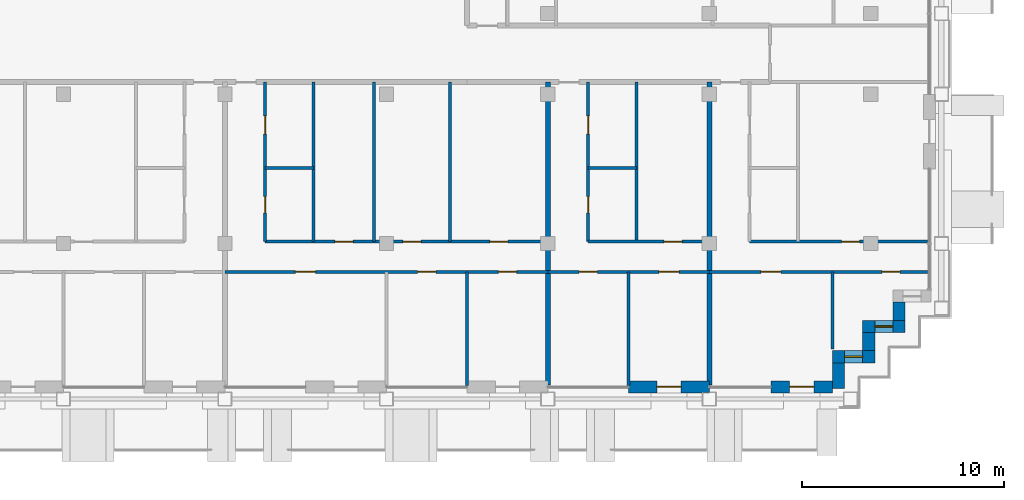
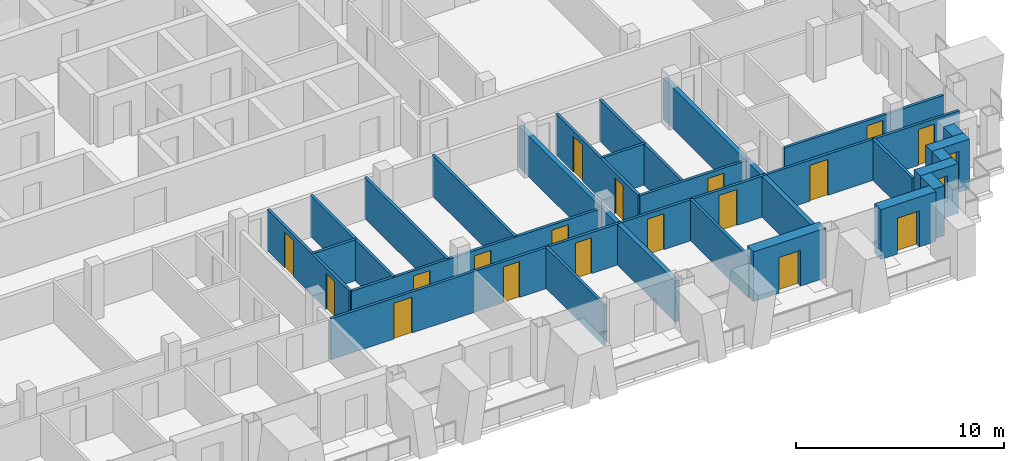
# One storey, part 9 of 16: 26 walls, 18 doors, 2 windows, 20 openings.
"""IFC4 building model written with IfcOpenShell, lengths in metres."""

from ifc_helpers import new_model, si_unit, direction, frame, frame_2d, origin, place, context, subcontext, project, spatial, rectangle, extrude, material, layer, layer_set, type_object, element, fill, save


model = new_model("IFC4")

# Units and contexts
model_context = context("Model", 3, precision=1e-05, world=origin(), true_north=direction((0.0, 1.0)))
body_context = subcontext(model_context, "Body", "Model", "MODEL_VIEW")
ifc_project = project(units=[si_unit("LENGTHUNIT", "METRE"), si_unit("AREAUNIT", "SQUARE_METRE"), si_unit("VOLUMEUNIT", "CUBIC_METRE"), si_unit("PLANEANGLEUNIT", "RADIAN"), si_unit("MASSUNIT", "GRAM", prefix="KILO")], contexts=[model_context])

# Site, building, storey
site_placement = place(None, origin())
site = spatial("IfcSite", under=ifc_project, at=site_placement, CompositionType="ELEMENT")
building_placement = place(site_placement, origin())
building = spatial("IfcBuilding", under=site, at=building_placement, Name="Vidyagriha Tower", CompositionType="ELEMENT")
storey_placement = place(building_placement, frame((0.0, 0.0, 174.89990234375)))
storey = spatial("IfcBuildingStorey", under=building, at=storey_placement, Name="L45", CompositionType="ELEMENT", Elevation=174.89990234375)

# Wall, opening, door
ifc_material_1 = material(Name="Precast concrete C40/50 with brick facing", Category="concrete")
ifc_layer_1 = layer(ifc_material_1, 0.60009765625)
ifc_layer_set_1 = layer_set([ifc_layer_1], Name="Precast concrete C40/50 with brick facing")
wall_type_1 = type_object("IfcWallType", Name="Brick-faced precast wall 600", PredefinedType="STANDARD", material=ifc_layer_set_1)
wall_1_placement = place(storey_placement, frame((22.0, -16.5, 0.0)))
wall_1 = element("IfcWall", 1, at=wall_1_placement, inside=storey, type_object=wall_type_1, Name="Brick door bay wall L45 R23.12", PredefinedType="STANDARD", context=body_context, shape_type="SweptSolid", body=[
    extrude(rectangle(XDim=4.0, YDim=0.60009765625, at=frame_2d((2.0, 0.0))), origin(), (0.0, 0.0, 1.0), 2.920166015625),
])
opening_1_placement = place(wall_1_placement, frame((1.39990234375, 0.0, 0.0)))
opening_1 = element("IfcOpeningElement", 2, at=opening_1_placement, cuts=wall_1, Name="Opening D45-74", PredefinedType="OPENING", context=body_context, shape_type="SweptSolid", body=[
    extrude(rectangle(XDim=1.199951171875, YDim=2.10009765625, at=frame_2d((0.60009765625, 1.050048828125))), frame((0.0, 0.31005859375, 0.0), z_axis=(0.0, -1.0, 0.0), x_axis=(1.0, 0.0, 0.0)), (0.0, 0.0, 1.0), 0.6201171875),
])
ifc_material_2 = material(Name="Aluminium framed glazed sliding door", Category="aluminium")
door_type_1 = type_object("IfcDoorType", Name="Balcony sliding door 1200x2100", OperationType="NOTDEFINED", PredefinedType="DOOR", material=ifc_material_2)
door_1_placement = place(opening_1_placement, origin())
door_1 = element("IfcDoor", 3, at=door_1_placement, inside=storey, type_object=door_type_1, Name="Door D45-74", OperationType="SLIDING_TO_LEFT", OverallHeight=2.10009765625, OverallWidth=1.199951171875, PredefinedType="DOOR", context=body_context, shape_type="SweptSolid", body=[
    extrude(rectangle(XDim=1.199951171875, YDim=2.10009765625, at=frame_2d((0.60009765625, 1.050048828125))), frame((0.0, 0.02490234375, 0.0), z_axis=(0.0, -1.0, 0.0), x_axis=(1.0, 0.0, 0.0)), (0.0, 0.0, 1.0), 0.050048828125),
])
fill(opening_1, door_1)

wall_2_placement = place(storey_placement, frame((29.050048828125, -16.5, 0.0)))
wall_2 = element("IfcWall", 4, at=wall_2_placement, inside=storey, type_object=wall_type_1, Name="Brick door bay wall L45 R23.14", PredefinedType="STANDARD", context=body_context, shape_type="SweptSolid", body=[
    extrude(rectangle(XDim=3.050048828125, YDim=0.60009765625, at=frame_2d((1.52490234375, 0.0))), origin(), (0.0, 0.0, 1.0), 2.920166015625),
])
opening_2_placement = place(wall_2_placement, frame((0.925048828125, 0.0, 0.0)))
opening_2 = element("IfcOpeningElement", 5, at=opening_2_placement, cuts=wall_2, Name="Opening D45-75", PredefinedType="OPENING", context=body_context, shape_type="SweptSolid", body=[
    extrude(rectangle(XDim=1.199951171875, YDim=2.10009765625, at=frame_2d((0.60009765625, 1.050048828125))), frame((0.0, 0.31005859375, 0.0), z_axis=(0.0, -1.0, 0.0), x_axis=(1.0, 0.0, 0.0)), (0.0, 0.0, 1.0), 0.6201171875),
])
door_2_placement = place(opening_2_placement, origin())
door_2 = element("IfcDoor", 6, at=door_2_placement, inside=storey, type_object=door_type_1, Name="Door D45-75", OperationType="SLIDING_TO_LEFT", OverallHeight=2.10009765625, OverallWidth=1.199951171875, PredefinedType="DOOR", context=body_context, shape_type="SweptSolid", body=[
    extrude(rectangle(XDim=1.199951171875, YDim=2.10009765625, at=frame_2d((0.60009765625, 1.050048828125))), frame((0.0, 0.02490234375, 0.0), z_axis=(0.0, -1.0, 0.0), x_axis=(1.0, 0.0, 0.0)), (0.0, 0.0, 1.0), 0.050048828125),
])
fill(opening_2, door_2)

# Wall
wall_3_placement = place(storey_placement, frame((32.39990234375, -16.580078125, 0.0), z_axis=(0.0, 0.0, 1.0), x_axis=(0.0, 1.0, 0.0)))
element("IfcWall", 7, at=wall_3_placement, inside=storey, type_object=wall_type_1, Name="Stepped corner wall L45 R24", PredefinedType="STANDARD", context=body_context, shape_type="SweptSolid", body=[
    extrude(rectangle(XDim=1.280029296875, YDim=0.60009765625, at=frame_2d((0.64013671875, 0.0))), origin(), (0.0, 0.0, 1.0), 2.920166015625),
])

# Wall, opening, window
wall_4_placement = place(storey_placement, frame((32.10009765625, -15.0, 0.0)))
wall_4 = element("IfcWall", 8, at=wall_4_placement, inside=storey, type_object=wall_type_1, Name="Stepped corner wall L45 R25", PredefinedType="STANDARD", context=body_context, shape_type="SweptSolid", body=[
    extrude(rectangle(XDim=2.099853515625, YDim=0.60009765625, at=frame_2d((1.0498046875, 0.0))), origin(), (0.0, 0.0, 1.0), 2.920166015625),
])
opening_3_placement = place(wall_4_placement, frame((0.60009765625, 0.0, 0.89990234375)))
opening_3 = element("IfcOpeningElement", 9, at=opening_3_placement, cuts=wall_4, Name="Opening WN1", PredefinedType="OPENING", context=body_context, shape_type="SweptSolid", body=[
    extrude(rectangle(XDim=0.89990234375, YDim=1.5, at=frame_2d((0.449951171875, 0.75))), frame((0.0, 0.31005859375, 0.0), z_axis=(0.0, -1.0, 0.0), x_axis=(1.0, 0.0, 0.0)), (0.0, 0.0, 1.0), 0.6201171875),
])
ifc_material_3 = material(Name="Aluminium and glass window", Category="aluminium")
window_type = type_object("IfcWindowType", Name="Reveal window 900x1500", PartitioningType="NOTDEFINED", PredefinedType="WINDOW", material=ifc_material_3)
window_1_placement = place(opening_3_placement, origin())
window_1 = element("IfcWindow", 10, at=window_1_placement, inside=storey, type_object=window_type, Name="Reveal window L45 R25", OverallHeight=1.5, OverallWidth=0.89990234375, PartitioningType="SINGLE_PANEL", PredefinedType="WINDOW", context=body_context, shape_type="SweptSolid", body=[
    extrude(rectangle(XDim=0.89990234375, YDim=1.5, at=frame_2d((0.449951171875, 0.75))), frame((0.0, 0.030029296875, 0.0), z_axis=(0.0, -1.0, 0.0), x_axis=(1.0, 0.0, 0.0)), (0.0, 0.0, 1.0), 0.06005859375),
])
fill(opening_3, window_1)

# Wall
wall_5_placement = place(storey_placement, frame((33.89990234375, -14.699951171875, 0.0), z_axis=(0.0, 0.0, 1.0), x_axis=(0.0, 1.0, 0.0)))
element("IfcWall", 11, at=wall_5_placement, inside=storey, type_object=wall_type_1, Name="Stepped corner wall L45 R26", PredefinedType="STANDARD", context=body_context, shape_type="SweptSolid", body=[
    extrude(rectangle(XDim=0.89990234375, YDim=0.60009765625, at=frame_2d((0.449951171875, 0.0))), origin(), (0.0, 0.0, 1.0), 2.920166015625),
])

# Wall, opening, window
wall_6_placement = place(storey_placement, frame((33.60009765625, -13.5, 0.0)))
wall_6 = element("IfcWall", 12, at=wall_6_placement, inside=storey, type_object=wall_type_1, Name="Stepped corner wall L45 R27", PredefinedType="STANDARD", context=body_context, shape_type="SweptSolid", body=[
    extrude(rectangle(XDim=2.099853515625, YDim=0.60009765625, at=frame_2d((1.0498046875, 0.0))), origin(), (0.0, 0.0, 1.0), 2.920166015625),
])
opening_4_placement = place(wall_6_placement, frame((0.60009765625, 0.0, 0.89990234375)))
opening_4 = element("IfcOpeningElement", 13, at=opening_4_placement, cuts=wall_6, Name="Opening WN1", PredefinedType="OPENING", context=body_context, shape_type="SweptSolid", body=[
    extrude(rectangle(XDim=0.89990234375, YDim=1.5, at=frame_2d((0.449951171875, 0.75))), frame((0.0, 0.31005859375, 0.0), z_axis=(0.0, -1.0, 0.0), x_axis=(1.0, 0.0, 0.0)), (0.0, 0.0, 1.0), 0.6201171875),
])
window_2_placement = place(opening_4_placement, origin())
window_2 = element("IfcWindow", 14, at=window_2_placement, inside=storey, type_object=window_type, Name="Reveal window L45 R27", OverallHeight=1.5, OverallWidth=0.89990234375, PartitioningType="SINGLE_PANEL", PredefinedType="WINDOW", context=body_context, shape_type="SweptSolid", body=[
    extrude(rectangle(XDim=0.89990234375, YDim=1.5, at=frame_2d((0.449951171875, 0.75))), frame((0.0, 0.030029296875, 0.0), z_axis=(0.0, -1.0, 0.0), x_axis=(1.0, 0.0, 0.0)), (0.0, 0.0, 1.0), 0.06005859375),
])
fill(opening_4, window_2)

# Walls
wall_7_placement = place(storey_placement, frame((35.39990234375, -13.199951171875, 0.0), z_axis=(0.0, 0.0, 1.0), x_axis=(0.0, 1.0, 0.0)))
element("IfcWall", 15, at=wall_7_placement, inside=storey, type_object=wall_type_1, Name="Stepped corner wall L45 R28", PredefinedType="STANDARD", context=body_context, shape_type="SweptSolid", body=[
    extrude(rectangle(XDim=0.89990234375, YDim=0.60009765625, at=frame_2d((0.449951171875, 0.0))), origin(), (0.0, 0.0, 1.0), 2.920166015625),
])
ifc_material_4 = material(Name="Fired clay brick masonry", Category="masonry")
ifc_layer_2 = layer(ifc_material_4, 0.25)
ifc_layer_set_2 = layer_set([ifc_layer_2], Name="Fired clay brick masonry")
wall_type_2 = type_object("IfcWallType", Name="Fired clay brick demising wall 250", PredefinedType="PARTITIONING", material=ifc_layer_set_2)
for number, where, z_axis, x_axis, name in (
    (16, (18.0, -1.39990234375, 0.0), (0.0, 0.0, 1.0), (0.0, -1.0, 0.0), "Wall all-L45-w054"),
    (17, (26.0, -1.39990234375, 0.0), (0.0, 0.0, 1.0), (0.0, -1.0, 0.0), "Wall all-L45-w067"),
):
    element("IfcWall", number, at=place(storey_placement, frame(where, z_axis=z_axis, x_axis=x_axis)), inside=storey, type_object=wall_type_2, Name=name, PredefinedType="PARTITIONING", context=body_context, shape_type="SweptSolid", body=[
        extrude(rectangle(XDim=15.010009765625, YDim=0.25, at=frame_2d((7.5048828125, 0.0))), origin(), (0.0, 0.0, 1.0), 2.400146484375),
    ])
ifc_material_5 = material(Name="Gypsum board partition")
ifc_layer_3 = layer(ifc_material_5, 0.14990234375)
ifc_layer_set_3 = layer_set([ifc_layer_3], Name="Gypsum board partition")
wall_type_3 = type_object("IfcWallType", Name="Gypsum board partition 150", PredefinedType="PARTITIONING", material=ifc_layer_set_3)
wall_8_placement = place(storey_placement, frame((6.39990234375, -5.64990234375, 0.0), z_axis=(0.0, 0.0, 1.0), x_axis=(-1.0, 0.0, 0.0)))
element("IfcWall", 18, at=wall_8_placement, inside=storey, type_object=wall_type_3, Name="Wall all-L45-w026", PredefinedType="PARTITIONING", context=body_context, shape_type="SweptSolid", body=[
    extrude(rectangle(XDim=2.39990234375, YDim=0.14990234375, at=frame_2d((1.199951171875, 0.0))), origin(), (0.0, 0.0, 1.0), 2.400146484375),
])
for number, where, z_axis, x_axis, name in (
    (19, (6.39990234375, -1.39990234375, 0.0), (0.0, 0.0, 1.0), (0.0, -1.0, 0.0), "Wall all-L45-w027"),
    (20, (9.39990234375, -1.39990234375, 0.0), (0.0, 0.0, 1.0), (0.0, -1.0, 0.0), "Wall all-L45-w028"),
    (21, (13.14990234375, -1.39990234375, 0.0), (0.0, 0.0, 1.0), (0.0, -1.0, 0.0), "Wall all-L45-w029"),
):
    element("IfcWall", number, at=place(storey_placement, frame(where, z_axis=z_axis, x_axis=x_axis)), inside=storey, type_object=wall_type_3, Name=name, PredefinedType="PARTITIONING", context=body_context, shape_type="SweptSolid", body=[
        extrude(rectangle(XDim=7.900146484375, YDim=0.14990234375, at=frame_2d((3.9501953125, 0.0))), origin(), (0.0, 0.0, 1.0), 2.400146484375),
    ])

# Wall, openings, doors
wall_9_placement = place(storey_placement, frame((4.0, -9.300048828125, 0.0)))
wall_9 = element("IfcWall", 22, at=wall_9_placement, inside=storey, type_object=wall_type_3, Name="Wall all-L45-w030", PredefinedType="PARTITIONING", context=body_context, shape_type="SweptSolid", body=[
    extrude(rectangle(XDim=14.0, YDim=0.14990234375, at=frame_2d((7.0, 0.0))), origin(), (0.0, 0.0, 1.0), 2.400146484375),
])
opening_5_placement = place(wall_9_placement, frame((3.449951171875, 0.0, 0.0)))
opening_5 = element("IfcOpeningElement", 23, at=opening_5_placement, cuts=wall_9, Name="Opening D45-30", PredefinedType="OPENING", context=body_context, shape_type="SweptSolid", body=[
    extrude(rectangle(XDim=0.89990234375, YDim=2.10009765625, at=frame_2d((0.449951171875, 1.050048828125))), frame((0.0, 0.0849609375, 0.0), z_axis=(0.0, -1.0, 0.0), x_axis=(1.0, 0.0, 0.0)), (0.0, 0.0, 1.0), 0.169921875),
])
opening_6_placement = place(wall_9_placement, frame((6.824951171875, 0.0, 0.0)))
opening_6 = element("IfcOpeningElement", 24, at=opening_6_placement, cuts=wall_9, Name="Opening D45-31", PredefinedType="OPENING", context=body_context, shape_type="SweptSolid", body=[
    extrude(rectangle(XDim=0.89990234375, YDim=2.10009765625, at=frame_2d((0.449951171875, 1.050048828125))), frame((0.0, 0.0849609375, 0.0), z_axis=(0.0, -1.0, 0.0), x_axis=(1.0, 0.0, 0.0)), (0.0, 0.0, 1.0), 0.169921875),
])
opening_7_placement = place(wall_9_placement, frame((11.125, 0.0, 0.0)))
opening_7 = element("IfcOpeningElement", 25, at=opening_7_placement, cuts=wall_9, Name="Opening D45-32", PredefinedType="OPENING", context=body_context, shape_type="SweptSolid", body=[
    extrude(rectangle(XDim=0.89990234375, YDim=2.10009765625, at=frame_2d((0.449951171875, 1.050048828125))), frame((0.0, 0.0849609375, 0.0), z_axis=(0.0, -1.0, 0.0), x_axis=(1.0, 0.0, 0.0)), (0.0, 0.0, 1.0), 0.169921875),
])
ifc_material_6 = material(Name="Timber door leaf", Category="wood")
door_type_2 = type_object("IfcDoorType", Name="Room door 900x2100", OperationType="NOTDEFINED", PredefinedType="DOOR", material=ifc_material_6)
door_3_placement = place(opening_5_placement, origin())
door_3 = element("IfcDoor", 26, at=door_3_placement, inside=storey, type_object=door_type_2, Name="Door D45-30", OperationType="SINGLE_SWING_RIGHT", OverallHeight=2.10009765625, OverallWidth=0.89990234375, PredefinedType="DOOR", context=body_context, shape_type="SweptSolid", body=[
    extrude(rectangle(XDim=0.89990234375, YDim=2.10009765625, at=frame_2d((0.449951171875, 1.050048828125))), frame((0.0, 0.02490234375, 0.0), z_axis=(0.0, -1.0, 0.0), x_axis=(1.0, 0.0, 0.0)), (0.0, 0.0, 1.0), 0.050048828125),
])
fill(opening_5, door_3)
door_4_placement = place(opening_6_placement, origin())
door_4 = element("IfcDoor", 27, at=door_4_placement, inside=storey, type_object=door_type_2, Name="Door D45-31", OperationType="SINGLE_SWING_RIGHT", OverallHeight=2.10009765625, OverallWidth=0.89990234375, PredefinedType="DOOR", context=body_context, shape_type="SweptSolid", body=[
    extrude(rectangle(XDim=0.89990234375, YDim=2.10009765625, at=frame_2d((0.449951171875, 1.050048828125))), frame((0.0, 0.02490234375, 0.0), z_axis=(0.0, -1.0, 0.0), x_axis=(1.0, 0.0, 0.0)), (0.0, 0.0, 1.0), 0.050048828125),
])
fill(opening_6, door_4)
door_5_placement = place(opening_7_placement, origin())
door_5 = element("IfcDoor", 28, at=door_5_placement, inside=storey, type_object=door_type_2, Name="Door D45-32", OperationType="SINGLE_SWING_LEFT", OverallHeight=2.10009765625, OverallWidth=0.89990234375, PredefinedType="DOOR", context=body_context, shape_type="SweptSolid", body=[
    extrude(rectangle(XDim=0.89990234375, YDim=2.10009765625, at=frame_2d((0.449951171875, 1.050048828125))), frame((0.0, 0.02490234375, 0.0), z_axis=(0.0, -1.0, 0.0), x_axis=(1.0, 0.0, 0.0)), (0.0, 0.0, 1.0), 0.050048828125),
])
fill(opening_7, door_5)

wall_10_placement = place(storey_placement, frame((18.0, -10.800048828125, 0.0), z_axis=(0.0, 0.0, 1.0), x_axis=(-1.0, 0.0, 0.0)))
wall_10 = element("IfcWall", 29, at=wall_10_placement, inside=storey, type_object=wall_type_3, Name="Wall all-L45-w034", PredefinedType="PARTITIONING", context=body_context, shape_type="SweptSolid", body=[
    extrude(rectangle(XDim=16.0, YDim=0.14990234375, at=frame_2d((8.0, 0.0))), origin(), (0.0, 0.0, 1.0), 2.400146484375),
])
opening_8_placement = place(wall_10_placement, frame((11.5, 0.0, 0.0)))
opening_8 = element("IfcOpeningElement", 30, at=opening_8_placement, cuts=wall_10, Name="Opening D45-33", PredefinedType="OPENING", context=body_context, shape_type="SweptSolid", body=[
    extrude(rectangle(XDim=1.0, YDim=2.10009765625, at=frame_2d((0.5, 1.050048828125))), frame((0.0, 0.0849609375, 0.0), z_axis=(0.0, -1.0, 0.0), x_axis=(1.0, 0.0, 0.0)), (0.0, 0.0, 1.0), 0.169921875),
])
opening_9_placement = place(wall_10_placement, frame((5.550048828125, 0.0, 0.0)))
opening_9 = element("IfcOpeningElement", 31, at=opening_9_placement, cuts=wall_10, Name="Opening D45-34", PredefinedType="OPENING", context=body_context, shape_type="SweptSolid", body=[
    extrude(rectangle(XDim=0.89990234375, YDim=2.10009765625, at=frame_2d((0.449951171875, 1.050048828125))), frame((0.0, 0.0849609375, 0.0), z_axis=(0.0, -1.0, 0.0), x_axis=(1.0, 0.0, 0.0)), (0.0, 0.0, 1.0), 0.169921875),
])
opening_10_placement = place(wall_10_placement, frame((1.550048828125, 0.0, 0.0)))
opening_10 = element("IfcOpeningElement", 32, at=opening_10_placement, cuts=wall_10, Name="Opening D45-35", PredefinedType="OPENING", context=body_context, shape_type="SweptSolid", body=[
    extrude(rectangle(XDim=0.89990234375, YDim=2.10009765625, at=frame_2d((0.449951171875, 1.050048828125))), frame((0.0, 0.0849609375, 0.0), z_axis=(0.0, -1.0, 0.0), x_axis=(1.0, 0.0, 0.0)), (0.0, 0.0, 1.0), 0.169921875),
])
ifc_material_7 = material(Name="Timber door leaf", Category="wood")
door_type_3 = type_object("IfcDoorType", Name="Room door 1000x2100", OperationType="NOTDEFINED", PredefinedType="DOOR", material=ifc_material_7)
door_6_placement = place(opening_8_placement, origin())
door_6 = element("IfcDoor", 33, at=door_6_placement, inside=storey, type_object=door_type_3, Name="Door D45-33", OperationType="SINGLE_SWING_RIGHT", OverallHeight=2.10009765625, OverallWidth=1.0, PredefinedType="DOOR", context=body_context, shape_type="SweptSolid", body=[
    extrude(rectangle(XDim=1.0, YDim=2.10009765625, at=frame_2d((0.5, 1.050048828125))), frame((0.0, 0.02490234375, 0.0), z_axis=(0.0, -1.0, 0.0), x_axis=(1.0, 0.0, 0.0)), (0.0, 0.0, 1.0), 0.050048828125),
])
fill(opening_8, door_6)
door_7_placement = place(opening_9_placement, origin())
door_7 = element("IfcDoor", 34, at=door_7_placement, inside=storey, type_object=door_type_2, Name="Door D45-34", OperationType="SINGLE_SWING_RIGHT", OverallHeight=2.10009765625, OverallWidth=0.89990234375, PredefinedType="DOOR", context=body_context, shape_type="SweptSolid", body=[
    extrude(rectangle(XDim=0.89990234375, YDim=2.10009765625, at=frame_2d((0.449951171875, 1.050048828125))), frame((0.0, 0.02490234375, 0.0), z_axis=(0.0, -1.0, 0.0), x_axis=(1.0, 0.0, 0.0)), (0.0, 0.0, 1.0), 0.050048828125),
])
fill(opening_9, door_7)
door_8_placement = place(opening_10_placement, origin())
door_8 = element("IfcDoor", 35, at=door_8_placement, inside=storey, type_object=door_type_2, Name="Door D45-35", OperationType="SINGLE_SWING_RIGHT", OverallHeight=2.10009765625, OverallWidth=0.89990234375, PredefinedType="DOOR", context=body_context, shape_type="SweptSolid", body=[
    extrude(rectangle(XDim=0.89990234375, YDim=2.10009765625, at=frame_2d((0.449951171875, 1.050048828125))), frame((0.0, 0.02490234375, 0.0), z_axis=(0.0, -1.0, 0.0), x_axis=(1.0, 0.0, 0.0)), (0.0, 0.0, 1.0), 0.050048828125),
])
fill(opening_10, door_8)

# Walls
wall_11_placement = place(storey_placement, frame((14.0, -10.800048828125, 0.0), z_axis=(0.0, 0.0, 1.0), x_axis=(0.0, -1.0, 0.0)))
element("IfcWall", 36, at=wall_11_placement, inside=storey, type_object=wall_type_3, Name="Wall all-L45-w039", PredefinedType="PARTITIONING", context=body_context, shape_type="SweptSolid", body=[
    extrude(rectangle(XDim=5.620849609375, YDim=0.14990234375, at=frame_2d((2.810546875, 0.0))), origin(), (0.0, 0.0, 1.0), 2.400146484375),
])
wall_12_placement = place(storey_placement, frame((22.39990234375, -5.64990234375, 0.0), z_axis=(0.0, 0.0, 1.0), x_axis=(-1.0, 0.0, 0.0)))
element("IfcWall", 37, at=wall_12_placement, inside=storey, type_object=wall_type_3, Name="Wall all-L45-w045", PredefinedType="PARTITIONING", context=body_context, shape_type="SweptSolid", body=[
    extrude(rectangle(XDim=2.39990234375, YDim=0.14990234375, at=frame_2d((1.199951171875, 0.0))), origin(), (0.0, 0.0, 1.0), 2.400146484375),
])
wall_13_placement = place(storey_placement, frame((22.39990234375, -1.39990234375, 0.0), z_axis=(0.0, 0.0, 1.0), x_axis=(0.0, -1.0, 0.0)))
element("IfcWall", 38, at=wall_13_placement, inside=storey, type_object=wall_type_3, Name="Wall all-L45-w046", PredefinedType="PARTITIONING", context=body_context, shape_type="SweptSolid", body=[
    extrude(rectangle(XDim=7.900146484375, YDim=0.14990234375, at=frame_2d((3.9501953125, 0.0))), origin(), (0.0, 0.0, 1.0), 2.400146484375),
])

# Wall, opening, door
wall_14_placement = place(storey_placement, frame((20.0, -9.300048828125, 0.0)))
wall_14 = element("IfcWall", 39, at=wall_14_placement, inside=storey, type_object=wall_type_3, Name="Wall all-L45-w047", PredefinedType="PARTITIONING", context=body_context, shape_type="SweptSolid", body=[
    extrude(rectangle(XDim=6.0, YDim=0.14990234375, at=frame_2d((3.0, 0.0))), origin(), (0.0, 0.0, 1.0), 2.400146484375),
])
opening_11_placement = place(wall_14_placement, frame((3.75, 0.0, 0.0)))
opening_11 = element("IfcOpeningElement", 40, at=opening_11_placement, cuts=wall_14, Name="Opening D45-39", PredefinedType="OPENING", context=body_context, shape_type="SweptSolid", body=[
    extrude(rectangle(XDim=0.89990234375, YDim=2.10009765625, at=frame_2d((0.449951171875, 1.050048828125))), frame((0.0, 0.0849609375, 0.0), z_axis=(0.0, -1.0, 0.0), x_axis=(1.0, 0.0, 0.0)), (0.0, 0.0, 1.0), 0.169921875),
])
door_9_placement = place(opening_11_placement, origin())
door_9 = element("IfcDoor", 41, at=door_9_placement, inside=storey, type_object=door_type_2, Name="Door D45-39", OperationType="SINGLE_SWING_RIGHT", OverallHeight=2.10009765625, OverallWidth=0.89990234375, PredefinedType="DOOR", context=body_context, shape_type="SweptSolid", body=[
    extrude(rectangle(XDim=0.89990234375, YDim=2.10009765625, at=frame_2d((0.449951171875, 1.050048828125))), frame((0.0, 0.02490234375, 0.0), z_axis=(0.0, -1.0, 0.0), x_axis=(1.0, 0.0, 0.0)), (0.0, 0.0, 1.0), 0.050048828125),
])
fill(opening_11, door_9)

# Wall, openings, doors
wall_15_placement = place(storey_placement, frame((26.0, -10.800048828125, 0.0), z_axis=(0.0, 0.0, 1.0), x_axis=(-1.0, 0.0, 0.0)))
wall_15 = element("IfcWall", 42, at=wall_15_placement, inside=storey, type_object=wall_type_3, Name="Wall all-L45-w049", PredefinedType="PARTITIONING", context=body_context, shape_type="SweptSolid", body=[
    extrude(rectangle(XDim=8.0, YDim=0.14990234375, at=frame_2d((4.0, 0.0))), origin(), (0.0, 0.0, 1.0), 2.400146484375),
])
opening_12_placement = place(wall_15_placement, frame((5.550048828125, 0.0, 0.0)))
opening_12 = element("IfcOpeningElement", 43, at=opening_12_placement, cuts=wall_15, Name="Opening D45-40", PredefinedType="OPENING", context=body_context, shape_type="SweptSolid", body=[
    extrude(rectangle(XDim=0.89990234375, YDim=2.10009765625, at=frame_2d((0.449951171875, 1.050048828125))), frame((0.0, 0.0849609375, 0.0), z_axis=(0.0, -1.0, 0.0), x_axis=(1.0, 0.0, 0.0)), (0.0, 0.0, 1.0), 0.169921875),
])
opening_13_placement = place(wall_15_placement, frame((1.5, 0.0, 0.0)))
opening_13 = element("IfcOpeningElement", 44, at=opening_13_placement, cuts=wall_15, Name="Opening D45-41", PredefinedType="OPENING", context=body_context, shape_type="SweptSolid", body=[
    extrude(rectangle(XDim=1.0, YDim=2.10009765625, at=frame_2d((0.5, 1.050048828125))), frame((0.0, 0.0849609375, 0.0), z_axis=(0.0, -1.0, 0.0), x_axis=(1.0, 0.0, 0.0)), (0.0, 0.0, 1.0), 0.169921875),
])
door_10_placement = place(opening_13_placement, origin())
door_10 = element("IfcDoor", 45, at=door_10_placement, inside=storey, type_object=door_type_3, Name="Door D45-41", OperationType="SINGLE_SWING_RIGHT", OverallHeight=2.10009765625, OverallWidth=1.0, PredefinedType="DOOR", context=body_context, shape_type="SweptSolid", body=[
    extrude(rectangle(XDim=1.0, YDim=2.10009765625, at=frame_2d((0.5, 1.050048828125))), frame((0.0, 0.02490234375, 0.0), z_axis=(0.0, -1.0, 0.0), x_axis=(1.0, 0.0, 0.0)), (0.0, 0.0, 1.0), 0.050048828125),
])
fill(opening_13, door_10)
door_11_placement = place(opening_12_placement, origin())
door_11 = element("IfcDoor", 46, at=door_11_placement, inside=storey, type_object=door_type_2, Name="Door D45-40", OperationType="SINGLE_SWING_RIGHT", OverallHeight=2.10009765625, OverallWidth=0.89990234375, PredefinedType="DOOR", context=body_context, shape_type="SweptSolid", body=[
    extrude(rectangle(XDim=0.89990234375, YDim=2.10009765625, at=frame_2d((0.449951171875, 1.050048828125))), frame((0.0, 0.02490234375, 0.0), z_axis=(0.0, -1.0, 0.0), x_axis=(1.0, 0.0, 0.0)), (0.0, 0.0, 1.0), 0.050048828125),
])
fill(opening_12, door_11)

# Wall
wall_16_placement = place(storey_placement, frame((22.0, -10.800048828125, 0.0), z_axis=(0.0, 0.0, 1.0), x_axis=(0.0, -1.0, 0.0)))
element("IfcWall", 47, at=wall_16_placement, inside=storey, type_object=wall_type_3, Name="Wall all-L45-w052", PredefinedType="PARTITIONING", context=body_context, shape_type="SweptSolid", body=[
    extrude(rectangle(XDim=5.620849609375, YDim=0.14990234375, at=frame_2d((2.810546875, 0.0))), origin(), (0.0, 0.0, 1.0), 2.400146484375),
])

# Wall, opening, door
wall_17_placement = place(storey_placement, frame((28.0, -9.300048828125, 0.0)))
wall_17 = element("IfcWall", 48, at=wall_17_placement, inside=storey, type_object=wall_type_3, Name="Wall all-L45-w060", PredefinedType="PARTITIONING", context=body_context, shape_type="SweptSolid", body=[
    extrude(rectangle(XDim=8.820068359375, YDim=0.14990234375, at=frame_2d((4.41015625, 0.0))), origin(), (0.0, 0.0, 1.0), 2.400146484375),
])
opening_14_placement = place(wall_17_placement, frame((4.552978515625, 0.0, 0.0)))
opening_14 = element("IfcOpeningElement", 49, at=opening_14_placement, cuts=wall_17, Name="Opening D45-45", PredefinedType="OPENING", context=body_context, shape_type="SweptSolid", body=[
    extrude(rectangle(XDim=0.89990234375, YDim=2.10009765625, at=frame_2d((0.449951171875, 1.050048828125))), frame((0.0, 0.0849609375, 0.0), z_axis=(0.0, -1.0, 0.0), x_axis=(1.0, 0.0, 0.0)), (0.0, 0.0, 1.0), 0.169921875),
])
door_12_placement = place(opening_14_placement, origin())
door_12 = element("IfcDoor", 50, at=door_12_placement, inside=storey, type_object=door_type_2, Name="Door D45-45", OperationType="SINGLE_SWING_LEFT", OverallHeight=2.10009765625, OverallWidth=0.89990234375, PredefinedType="DOOR", context=body_context, shape_type="SweptSolid", body=[
    extrude(rectangle(XDim=0.89990234375, YDim=2.10009765625, at=frame_2d((0.449951171875, 1.050048828125))), frame((0.0, 0.02490234375, 0.0), z_axis=(0.0, -1.0, 0.0), x_axis=(1.0, 0.0, 0.0)), (0.0, 0.0, 1.0), 0.050048828125),
])
fill(opening_14, door_12)

# Wall, openings, doors
wall_18_placement = place(storey_placement, frame((36.820068359375, -10.800048828125, 0.0), z_axis=(0.0, 0.0, 1.0), x_axis=(-1.0, 0.0, 0.0)))
wall_18 = element("IfcWall", 51, at=wall_18_placement, inside=storey, type_object=wall_type_3, Name="Wall all-L45-w062", PredefinedType="PARTITIONING", context=body_context, shape_type="SweptSolid", body=[
    extrude(rectangle(XDim=10.820068359375, YDim=0.14990234375, at=frame_2d((5.41015625, 0.0))), origin(), (0.0, 0.0, 1.0), 2.400146484375),
])
opening_15_placement = place(wall_18_placement, frame((7.27001953125, 0.0, 0.0)))
opening_15 = element("IfcOpeningElement", 52, at=opening_15_placement, cuts=wall_18, Name="Opening D45-46", PredefinedType="OPENING", context=body_context, shape_type="SweptSolid", body=[
    extrude(rectangle(XDim=1.0, YDim=2.10009765625, at=frame_2d((0.5, 1.050048828125))), frame((0.0, 0.0849609375, 0.0), z_axis=(0.0, -1.0, 0.0), x_axis=(1.0, 0.0, 0.0)), (0.0, 0.0, 1.0), 0.169921875),
])
opening_16_placement = place(wall_18_placement, frame((1.373046875, 0.0, 0.0)))
opening_16 = element("IfcOpeningElement", 53, at=opening_16_placement, cuts=wall_18, Name="Opening D45-47", PredefinedType="OPENING", context=body_context, shape_type="SweptSolid", body=[
    extrude(rectangle(XDim=0.89990234375, YDim=2.10009765625, at=frame_2d((0.449951171875, 1.050048828125))), frame((0.0, 0.0849609375, 0.0), z_axis=(0.0, -1.0, 0.0), x_axis=(1.0, 0.0, 0.0)), (0.0, 0.0, 1.0), 0.169921875),
])
door_13_placement = place(opening_15_placement, origin())
door_13 = element("IfcDoor", 54, at=door_13_placement, inside=storey, type_object=door_type_3, Name="Door D45-46", OperationType="SINGLE_SWING_RIGHT", OverallHeight=2.10009765625, OverallWidth=1.0, PredefinedType="DOOR", context=body_context, shape_type="SweptSolid", body=[
    extrude(rectangle(XDim=1.0, YDim=2.10009765625, at=frame_2d((0.5, 1.050048828125))), frame((0.0, 0.02490234375, 0.0), z_axis=(0.0, -1.0, 0.0), x_axis=(1.0, 0.0, 0.0)), (0.0, 0.0, 1.0), 0.050048828125),
])
fill(opening_15, door_13)
door_14_placement = place(opening_16_placement, origin())
door_14 = element("IfcDoor", 55, at=door_14_placement, inside=storey, type_object=door_type_2, Name="Door D45-47", OperationType="SINGLE_SWING_LEFT", OverallHeight=2.10009765625, OverallWidth=0.89990234375, PredefinedType="DOOR", context=body_context, shape_type="SweptSolid", body=[
    extrude(rectangle(XDim=0.89990234375, YDim=2.10009765625, at=frame_2d((0.449951171875, 1.050048828125))), frame((0.0, 0.02490234375, 0.0), z_axis=(0.0, -1.0, 0.0), x_axis=(1.0, 0.0, 0.0)), (0.0, 0.0, 1.0), 0.050048828125),
])
fill(opening_16, door_14)

# Wall
wall_19_placement = place(storey_placement, frame((32.10009765625, -10.800048828125, 0.0), z_axis=(0.0, 0.0, 1.0), x_axis=(0.0, -1.0, 0.0)))
element("IfcWall", 56, at=wall_19_placement, inside=storey, type_object=wall_type_3, Name="Wall all-L45-w065", PredefinedType="PARTITIONING", context=body_context, shape_type="SweptSolid", body=[
    extrude(rectangle(XDim=3.820068359375, YDim=0.14990234375, at=frame_2d((1.91015625, 0.0))), origin(), (0.0, 0.0, 1.0), 2.400146484375),
])

# Wall, openings, doors
ifc_material_8 = material(Name="Moisture resistant gypsum board partition")
ifc_layer_4 = layer(ifc_material_8, 0.14990234375)
ifc_layer_set_4 = layer_set([ifc_layer_4], Name="Moisture resistant gypsum board partition")
wall_type_4 = type_object("IfcWallType", Name="Gypsum board wet-area partition 150", PredefinedType="PARTITIONING", material=ifc_layer_set_4)
wall_20_placement = place(storey_placement, frame((4.0, -1.39990234375, 0.0), z_axis=(0.0, 0.0, 1.0), x_axis=(0.0, -1.0, 0.0)))
wall_20 = element("IfcWall", 57, at=wall_20_placement, inside=storey, type_object=wall_type_4, Name="Wall all-L45-w023", PredefinedType="PARTITIONING", context=body_context, shape_type="SweptSolid", body=[
    extrude(rectangle(XDim=7.900146484375, YDim=0.14990234375, at=frame_2d((3.9501953125, 0.0))), origin(), (0.0, 0.0, 1.0), 2.400146484375),
])
opening_17_placement = place(wall_20_placement, frame((1.675048828125, 0.0, 0.0)))
opening_17 = element("IfcOpeningElement", 58, at=opening_17_placement, cuts=wall_20, Name="Opening D45-28", PredefinedType="OPENING", context=body_context, shape_type="SweptSolid", body=[
    extrude(rectangle(XDim=0.89990234375, YDim=2.10009765625, at=frame_2d((0.449951171875, 1.050048828125))), frame((0.0, 0.0849609375, 0.0), z_axis=(0.0, -1.0, 0.0), x_axis=(1.0, 0.0, 0.0)), (0.0, 0.0, 1.0), 0.169921875),
])
opening_18_placement = place(wall_20_placement, frame((5.675048828125, 0.0, 0.0)))
opening_18 = element("IfcOpeningElement", 59, at=opening_18_placement, cuts=wall_20, Name="Opening D45-29", PredefinedType="OPENING", context=body_context, shape_type="SweptSolid", body=[
    extrude(rectangle(XDim=0.800048828125, YDim=2.10009765625, at=frame_2d((0.39990234375, 1.050048828125))), frame((0.0, 0.0849609375, 0.0), z_axis=(0.0, -1.0, 0.0), x_axis=(1.0, 0.0, 0.0)), (0.0, 0.0, 1.0), 0.169921875),
])
ifc_material_9 = material(Name="Timber door leaf", Category="wood")
door_type_4 = type_object("IfcDoorType", Name="Bathroom door 800x2100", OperationType="NOTDEFINED", PredefinedType="DOOR", material=ifc_material_9)
door_15_placement = place(opening_18_placement, origin())
door_15 = element("IfcDoor", 60, at=door_15_placement, inside=storey, type_object=door_type_4, Name="Door D45-29", OperationType="SINGLE_SWING_LEFT", OverallHeight=2.10009765625, OverallWidth=0.800048828125, PredefinedType="DOOR", context=body_context, shape_type="SweptSolid", body=[
    extrude(rectangle(XDim=0.800048828125, YDim=2.10009765625, at=frame_2d((0.39990234375, 1.050048828125))), frame((0.0, 0.02490234375, 0.0), z_axis=(0.0, -1.0, 0.0), x_axis=(1.0, 0.0, 0.0)), (0.0, 0.0, 1.0), 0.050048828125),
])
fill(opening_18, door_15)
ifc_material_10 = material(Name="Timber door leaf", Category="wood")
door_type_5 = type_object("IfcDoorType", Name="Kitchen door 900x2100", OperationType="NOTDEFINED", PredefinedType="DOOR", material=ifc_material_10)
door_16_placement = place(opening_17_placement, origin())
door_16 = element("IfcDoor", 61, at=door_16_placement, inside=storey, type_object=door_type_5, Name="Door D45-28", OperationType="SINGLE_SWING_LEFT", OverallHeight=2.10009765625, OverallWidth=0.89990234375, PredefinedType="DOOR", context=body_context, shape_type="SweptSolid", body=[
    extrude(rectangle(XDim=0.89990234375, YDim=2.10009765625, at=frame_2d((0.449951171875, 1.050048828125))), frame((0.0, 0.02490234375, 0.0), z_axis=(0.0, -1.0, 0.0), x_axis=(1.0, 0.0, 0.0)), (0.0, 0.0, 1.0), 0.050048828125),
])
fill(opening_17, door_16)

wall_21_placement = place(storey_placement, frame((20.0, -1.39990234375, 0.0), z_axis=(0.0, 0.0, 1.0), x_axis=(0.0, -1.0, 0.0)))
wall_21 = element("IfcWall", 62, at=wall_21_placement, inside=storey, type_object=wall_type_4, Name="Wall all-L45-w042", PredefinedType="PARTITIONING", context=body_context, shape_type="SweptSolid", body=[
    extrude(rectangle(XDim=7.900146484375, YDim=0.14990234375, at=frame_2d((3.9501953125, 0.0))), origin(), (0.0, 0.0, 1.0), 2.400146484375),
])
opening_19_placement = place(wall_21_placement, frame((1.675048828125, 0.0, 0.0)))
opening_19 = element("IfcOpeningElement", 63, at=opening_19_placement, cuts=wall_21, Name="Opening D45-37", PredefinedType="OPENING", context=body_context, shape_type="SweptSolid", body=[
    extrude(rectangle(XDim=0.89990234375, YDim=2.10009765625, at=frame_2d((0.449951171875, 1.050048828125))), frame((0.0, 0.0849609375, 0.0), z_axis=(0.0, -1.0, 0.0), x_axis=(1.0, 0.0, 0.0)), (0.0, 0.0, 1.0), 0.169921875),
])
opening_20_placement = place(wall_21_placement, frame((5.675048828125, 0.0, 0.0)))
opening_20 = element("IfcOpeningElement", 64, at=opening_20_placement, cuts=wall_21, Name="Opening D45-38", PredefinedType="OPENING", context=body_context, shape_type="SweptSolid", body=[
    extrude(rectangle(XDim=0.800048828125, YDim=2.10009765625, at=frame_2d((0.39990234375, 1.050048828125))), frame((0.0, 0.0849609375, 0.0), z_axis=(0.0, -1.0, 0.0), x_axis=(1.0, 0.0, 0.0)), (0.0, 0.0, 1.0), 0.169921875),
])
door_17_placement = place(opening_20_placement, origin())
door_17 = element("IfcDoor", 65, at=door_17_placement, inside=storey, type_object=door_type_4, Name="Door D45-38", OperationType="SINGLE_SWING_LEFT", OverallHeight=2.10009765625, OverallWidth=0.800048828125, PredefinedType="DOOR", context=body_context, shape_type="SweptSolid", body=[
    extrude(rectangle(XDim=0.800048828125, YDim=2.10009765625, at=frame_2d((0.39990234375, 1.050048828125))), frame((0.0, 0.02490234375, 0.0), z_axis=(0.0, -1.0, 0.0), x_axis=(1.0, 0.0, 0.0)), (0.0, 0.0, 1.0), 0.050048828125),
])
fill(opening_20, door_17)
door_18_placement = place(opening_19_placement, origin())
door_18 = element("IfcDoor", 66, at=door_18_placement, inside=storey, type_object=door_type_5, Name="Door D45-37", OperationType="SINGLE_SWING_LEFT", OverallHeight=2.10009765625, OverallWidth=0.89990234375, PredefinedType="DOOR", context=body_context, shape_type="SweptSolid", body=[
    extrude(rectangle(XDim=0.89990234375, YDim=2.10009765625, at=frame_2d((0.449951171875, 1.050048828125))), frame((0.0, 0.02490234375, 0.0), z_axis=(0.0, -1.0, 0.0), x_axis=(1.0, 0.0, 0.0)), (0.0, 0.0, 1.0), 0.050048828125),
])
fill(opening_19, door_18)

save(model, "model.ifc")
